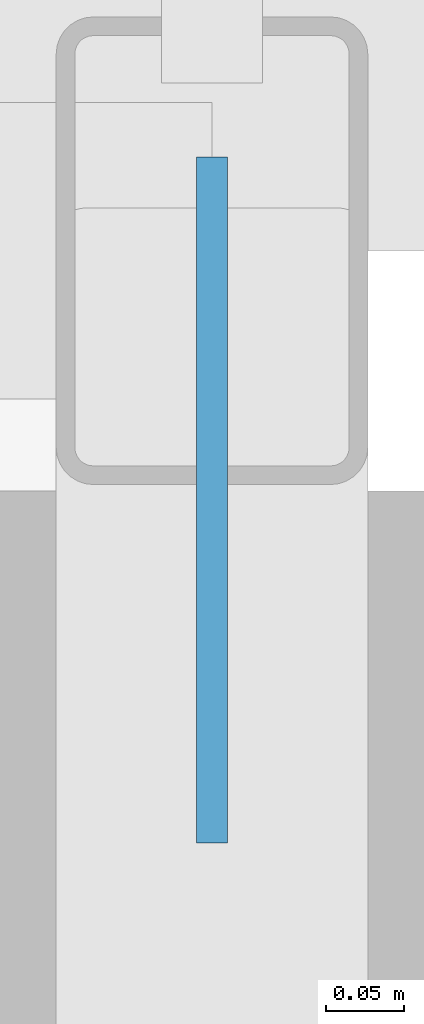
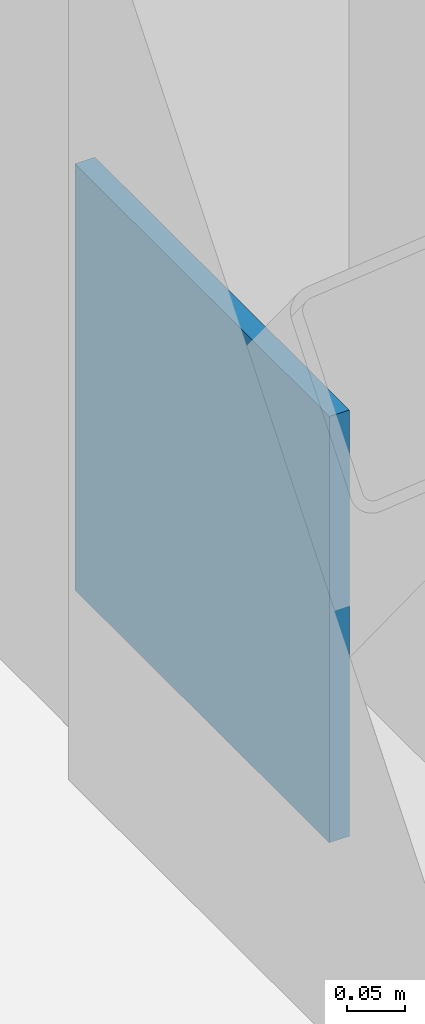
# One storey, part 100 of 116: 1 discrete accessory.
"""IFC4 building model written with IfcOpenShell, lengths in metres."""

from ifc_helpers import new_model, si_unit, direction, frame, origin, origin_2d, place, context, subcontext, project, spatial, rectangle, extrude, material, layer, layer_set, type_object, element, save


model = new_model("IFC4")

# Units and contexts
model_context = context("Model", 3, precision=1e-05, world=origin(), true_north=direction((0.0, 1.0)))
body_context = subcontext(model_context, "Body", "Model", "MODEL_VIEW")
ifc_project = project(units=[si_unit("LENGTHUNIT", "METRE"), si_unit("AREAUNIT", "SQUARE_METRE"), si_unit("VOLUMEUNIT", "CUBIC_METRE"), si_unit("PLANEANGLEUNIT", "RADIAN"), si_unit("MASSUNIT", "GRAM", prefix="KILO")], contexts=[model_context])

# Site, building, storey
site_placement = place(None, origin())
site = spatial("IfcSite", under=ifc_project, at=site_placement, CompositionType="ELEMENT")
building_placement = place(site_placement, origin())
building = spatial("IfcBuilding", under=site, at=building_placement, Name="Varnakota Square Police Headquarters", CompositionType="ELEMENT")
storey_placement = place(building_placement, frame((0.0, 0.0, 9.300048828125)))
storey = spatial("IfcBuildingStorey", under=building, at=storey_placement, Name="L02", CompositionType="ELEMENT", Elevation=9.300048828125)

# Discrete accessory
ifc_material = material(Name="Steel IS 2062 Grade 350", Category="steel")
ifc_layer = layer(ifc_material, 0.64990234375, Name="Steel IS 2062 Grade 350")
ifc_layer_set = layer_set([ifc_layer], Name="Steel IS 2062 Grade 350")
discrete_accessory_type = type_object("IfcDiscreteAccessoryType", Name="ACC-EMB-350", PredefinedType="BRACKET", material=ifc_layer_set)
discrete_accessory_placement = place(storey_placement, frame((42.0, 32.840087890625, 0.02490234375), z_axis=(0.0, 0.0, 1.0), x_axis=(0.0, 1.0, 0.0)))
element("IfcDiscreteAccessory", 1, at=discrete_accessory_placement, inside=storey, type_object=discrete_accessory_type, Name="Brace gusset connection plate BF3 L02 R", PredefinedType="BRACKET", context=body_context, shape_type="SweptSolid", body=[
    extrude(rectangle(XDim=0.43994140625, YDim=0.02001953125, at=origin_2d()), origin(), (0.0, 0.0, 1.0), 0.449951171875),
])

save(model, "model.ifc")
